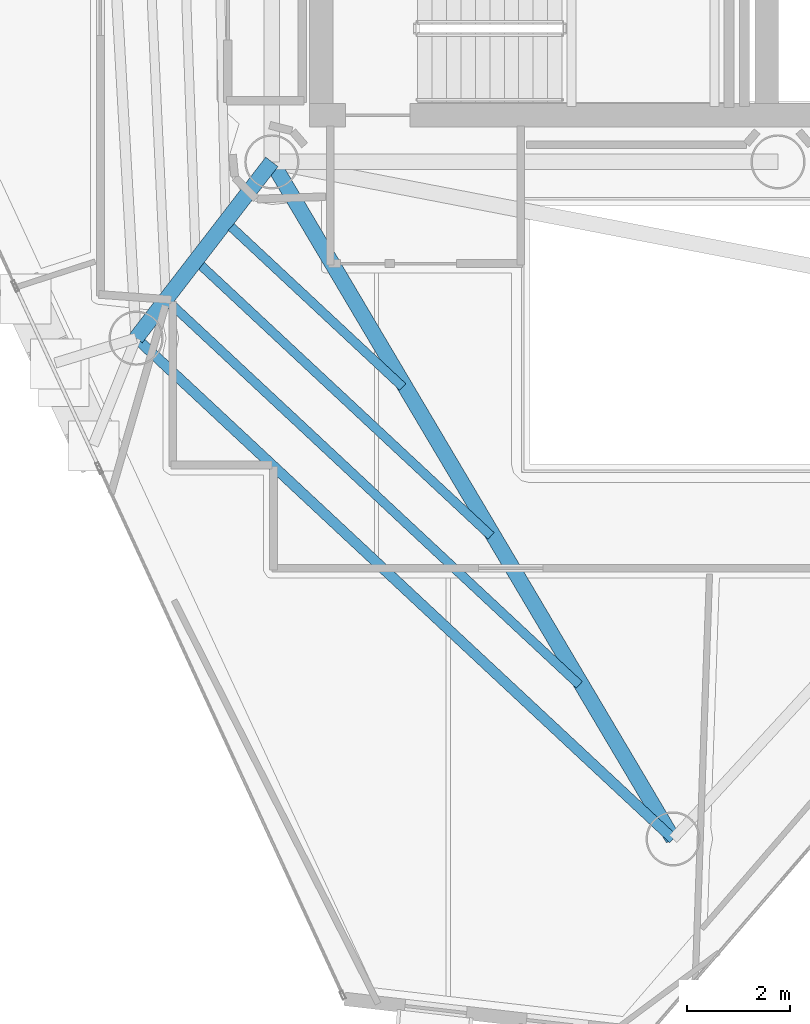
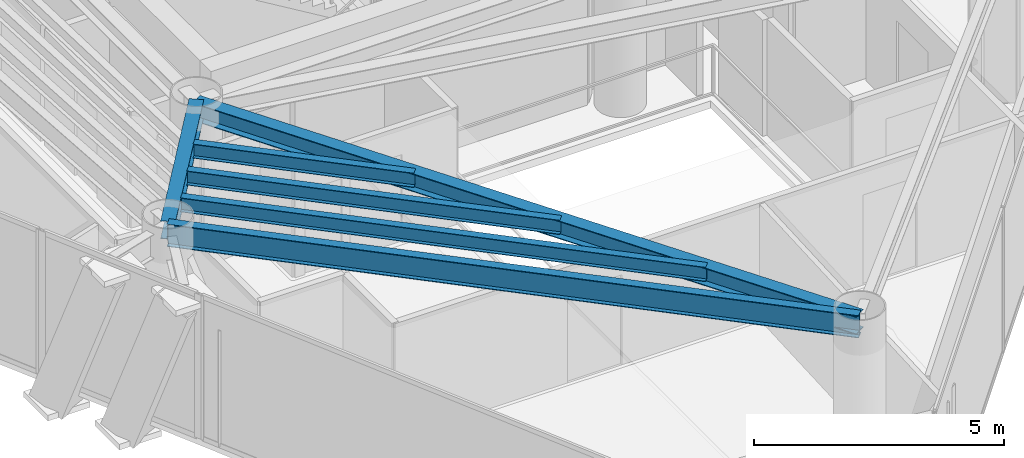
# One storey, part 3 of 21: 6 beams.
"""IFC4 building model written with IfcOpenShell, lengths in metres."""

from ifc_helpers import new_model, si_unit, direction, frame, origin, origin_2d, place, context, subcontext, project, spatial, i_section, extrude, material, material_profile, profile_set, type_object, element, save


model = new_model("IFC4")

# Units and contexts
model_context = context("Model", 3, precision=1e-05, world=origin(), true_north=direction((0.0, 1.0)))
body_context = subcontext(model_context, "Body", "Model", "MODEL_VIEW")
ifc_project = project(units=[si_unit("LENGTHUNIT", "METRE"), si_unit("AREAUNIT", "SQUARE_METRE"), si_unit("VOLUMEUNIT", "CUBIC_METRE"), si_unit("PLANEANGLEUNIT", "RADIAN"), si_unit("MASSUNIT", "GRAM", prefix="KILO")], contexts=[model_context])

# Site, building, storey
site_placement = place(None, origin())
site = spatial("IfcSite", under=ifc_project, at=site_placement, CompositionType="ELEMENT")
building_placement = place(site_placement, origin())
building = spatial("IfcBuilding", under=site, at=building_placement, Name="Qianvela Tower", CompositionType="ELEMENT")
storey_placement = place(building_placement, frame((0.0, 0.0, 253.800048828125)))
storey = spatial("IfcBuildingStorey", under=building, at=storey_placement, Name="L65", CompositionType="ELEMENT", Elevation=253.800048828125)

# Beams
ifc_material_1 = material(Name="Steel Q355B", Category="steel")
ifc_material_profile_1 = material_profile(ifc_material_1, i_section(OverallWidth=0.300048828125, OverallDepth=0.43994140625, WebThickness=0.010986328125, FlangeThickness=0.01806640625, at=origin_2d()), Name="HM440x300x11x18")
ifc_profile_set_1 = profile_set([ifc_material_profile_1], Name="Steel Q355B")
beam_type_1 = type_object("IfcBeamType", Name="BM-HM440-COLL", PredefinedType="BEAM", material=ifc_profile_set_1)
beam_1_placement = place(storey_placement, frame((28.60009765625, 23.85009765625, 3.2978515625), z_axis=(-0.610107831638, -0.792318391667, 0.0), x_axis=(0.792318391667, -0.610107831638, 0.0)))
element("IfcBeam", 1, at=beam_1_placement, inside=storey, type_object=beam_type_1, Name="L65 Radial Primary Floor Girder 4", PredefinedType="BEAM", context=body_context, shape_type="SweptSolid", body=[
    extrude(i_section(OverallWidth=0.300048828125, OverallDepth=0.43994140625, WebThickness=0.010986328125, FlangeThickness=0.01806640625, at=origin_2d()), origin(), (0.0, 0.0, 1.0), 4.3076171875),
])
beam_2_placement = place(storey_placement, frame((28.60009765625, 23.85009765625, 3.2978515625), z_axis=(0.509851140096, -0.860262643001, 0.0), x_axis=(0.860262643001, 0.509851140096, 0.0)))
element("IfcBeam", 2, at=beam_2_placement, inside=storey, type_object=beam_type_1, Name="L65 Radial Primary Floor Girder 5", PredefinedType="BEAM", context=body_context, shape_type="SweptSolid", body=[
    extrude(i_section(OverallWidth=0.300048828125, OverallDepth=0.43994140625, WebThickness=0.010986328125, FlangeThickness=0.01806640625, at=origin_2d()), origin(), (0.0, 0.0, 1.0), 15.2373046875),
])
ifc_material_2 = material(Name="Steel Q355B", Category="steel")
ifc_material_profile_2 = material_profile(ifc_material_2, i_section(OverallWidth=0.175048828125, OverallDepth=0.35009765625, WebThickness=0.007080078125, FlangeThickness=0.010986328125, at=origin_2d()), Name="HN350x175x7x11")
ifc_profile_set_2 = profile_set([ifc_material_profile_2], Name="Steel Q355B")
beam_type_2 = type_object("IfcBeamType", Name="BM-HN350-JOIST", PredefinedType="JOIST", material=ifc_profile_set_2)
beam_3_placement = place(storey_placement, frame((27.813232421875, 22.590087890625, 3.343017578125), z_axis=(0.731376968526, -0.681973408506, 0.0), x_axis=(0.681973408506, 0.731376968526, 0.0)))
element("IfcBeam", 3, at=beam_3_placement, inside=storey, type_object=beam_type_2, Name="L65 Secondary Composite Floor Joist 4.1", PredefinedType="JOIST", context=body_context, shape_type="SweptSolid", body=[
    extrude(i_section(OverallWidth=0.175048828125, OverallDepth=0.35009765625, WebThickness=0.007080078125, FlangeThickness=0.010986328125, at=origin_2d()), origin(), (0.0, 0.0, 1.0), 4.54150390625),
])
beam_4_placement = place(storey_placement, frame((27.235107421875, 21.839111328125, 3.343017578125), z_axis=(0.731379132366, -0.681971087906, 0.0), x_axis=(0.681971087906, 0.731379132366, 0.0)))
element("IfcBeam", 4, at=beam_4_placement, inside=storey, type_object=beam_type_2, Name="L65 Secondary Composite Floor Joist 4.2", PredefinedType="JOIST", context=body_context, shape_type="SweptSolid", body=[
    extrude(i_section(OverallWidth=0.175048828125, OverallDepth=0.35009765625, WebThickness=0.007080078125, FlangeThickness=0.010986328125, at=origin_2d()), origin(), (0.0, 0.0, 1.0), 7.6689453125),
])
beam_5_placement = place(storey_placement, frame((26.656982421875, 21.08837890625, 3.343017578125), z_axis=(0.731358246127, -0.681993486641, 0.0), x_axis=(0.681993486641, 0.731358246127, 0.0)))
element("IfcBeam", 5, at=beam_5_placement, inside=storey, type_object=beam_type_2, Name="L65 Secondary Composite Floor Joist 4.3", PredefinedType="JOIST", context=body_context, shape_type="SweptSolid", body=[
    extrude(i_section(OverallWidth=0.175048828125, OverallDepth=0.35009765625, WebThickness=0.007080078125, FlangeThickness=0.010986328125, at=origin_2d()), origin(), (0.0, 0.0, 1.0), 10.79638671875),
])
ifc_material_3 = material(Name="Steel Q355B", Category="steel")
ifc_material_profile_3 = material_profile(ifc_material_3, i_section(OverallWidth=0.199951171875, OverallDepth=0.550048828125, WebThickness=0.010009765625, FlangeThickness=0.01611328125, at=origin_2d()), Name="HN550x200x10x16")
ifc_profile_set_3 = profile_set([ifc_material_profile_3], Name="Steel Q355B")
beam_type_3 = type_object("IfcBeamType", Name="BM-HN550-GIRD", PredefinedType="BEAM", material=ifc_profile_set_3)
beam_6_placement = place(storey_placement, frame((25.971923828125, 20.43701171875, 3.242919921875), z_axis=(0.731363016694, -0.681988370731, 0.0), x_axis=(0.681988370731, 0.731363016694, 0.0)))
element("IfcBeam", 6, at=beam_6_placement, inside=storey, type_object=beam_type_3, Name="L65 Perimeter Ring Spandrel Girder 4", PredefinedType="BEAM", context=body_context, shape_type="SweptSolid", body=[
    extrude(i_section(OverallWidth=0.199951171875, OverallDepth=0.550048828125, WebThickness=0.010009765625, FlangeThickness=0.01611328125, at=origin_2d()), origin(), (0.0, 0.0, 1.0), 14.2158203125),
])

save(model, "model.ifc")
